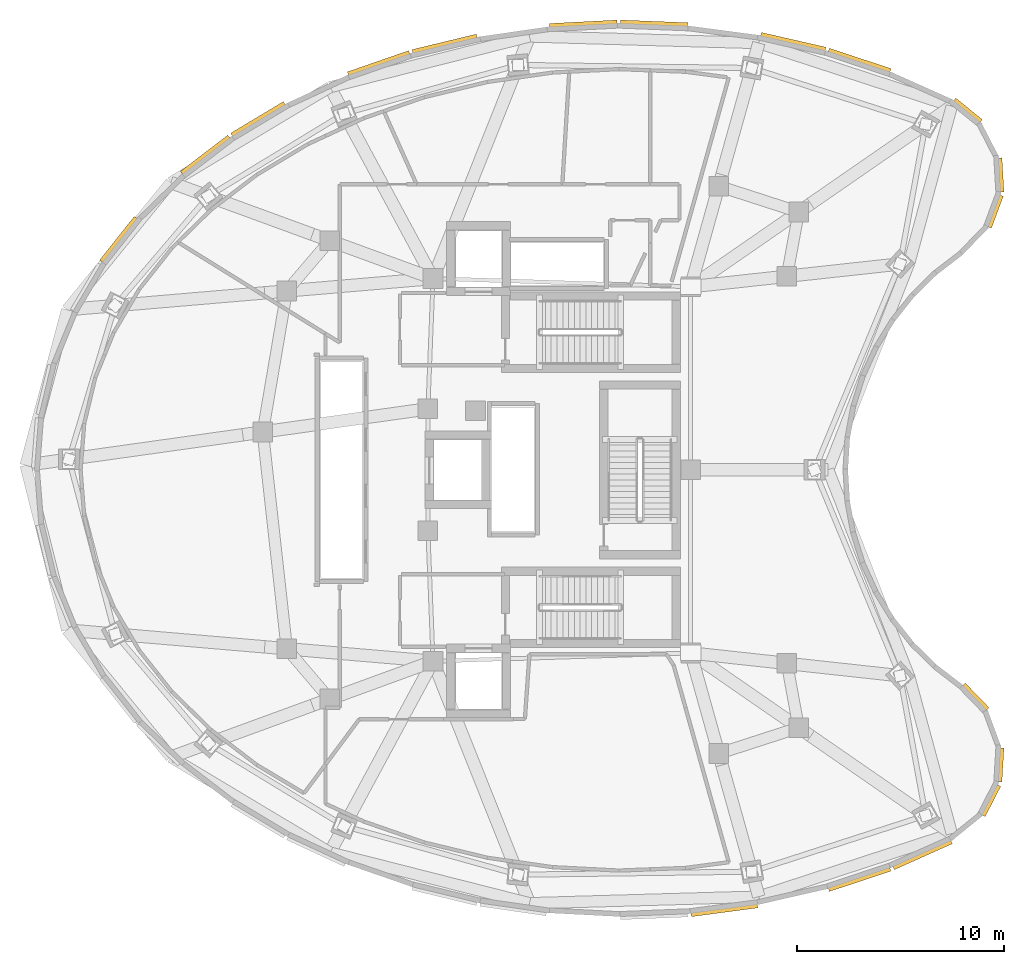
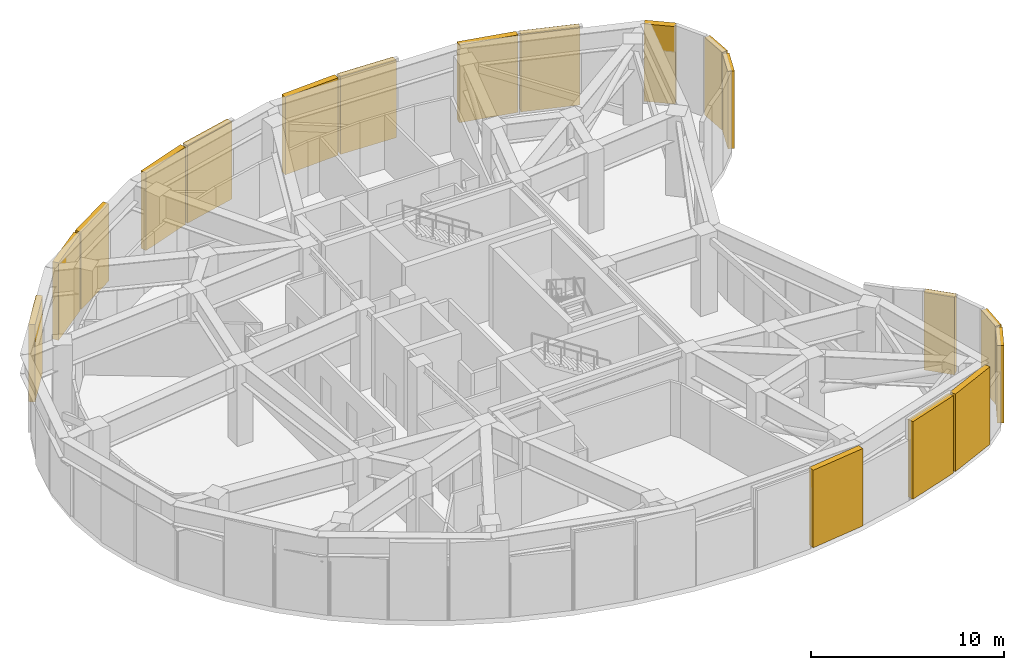
# One storey, part 10 of 10: 18 shading devices.
"""IFC4 building model written with IfcOpenShell, lengths in metres."""

from ifc_helpers import new_model, si_unit, direction, frame, origin, origin_2d, place, context, subcontext, project, spatial, rectangle, extrude, material, layer, layer_set, type_object, element, save


model = new_model("IFC4")

# Units and contexts
model_context = context("Model", 3, precision=1e-05, world=origin(), true_north=direction((0.0, 1.0)))
body_context = subcontext(model_context, "Body", "Model", "MODEL_VIEW")
ifc_project = project(units=[si_unit("LENGTHUNIT", "METRE"), si_unit("AREAUNIT", "SQUARE_METRE"), si_unit("VOLUMEUNIT", "CUBIC_METRE"), si_unit("PLANEANGLEUNIT", "RADIAN"), si_unit("MASSUNIT", "GRAM", prefix="KILO")], contexts=[model_context])

# Site, building, storey
site_placement = place(None, origin())
site = spatial("IfcSite", under=ifc_project, at=site_placement, CompositionType="ELEMENT")
building_placement = place(site_placement, origin())
building = spatial("IfcBuilding", under=site, at=building_placement, Name="Korentha Bioscience Tower", CompositionType="ELEMENT")
storey_placement = place(building_placement, frame((0.0, 0.0, 213.0)))
storey = spatial("IfcBuildingStorey", under=building, at=storey_placement, Name="L49", CompositionType="ELEMENT", Elevation=213.0)

# Shading devices
ifc_material = material(Name="Powder-Coated Aluminium Louvre", Category="aluminium")
ifc_layer = layer(ifc_material, 0.1201171875, Name="Powder-Coated Aluminium Louvre")
ifc_layer_set = layer_set([ifc_layer], Name="Powder-Coated Aluminium Louvre (LV-350)")
shading_device_type = type_object("IfcShadingDeviceType", Name="Acoustic Weatherproof Aluminium Plant Louvre 350", PredefinedType="USERDEFINED", material=ifc_layer_set)
shading_device_1_placement = place(storey_placement, frame((45.691650390625, 46.72314453125, 0.10009765625), z_axis=(0.0, 0.0, 1.0), x_axis=(-0.948910260885, 0.315546061275, 0.0)))
element("IfcShadingDevice", 1, at=shading_device_1_placement, inside=storey, type_object=shading_device_type, Name="L49 Acoustic Plant Louvre 02", ObjectType="LOUVRE", PredefinedType="USERDEFINED", context=body_context, shape_type="SweptSolid", body=[
    extrude(rectangle(XDim=3.140869140625, YDim=0.35009765625, at=origin_2d()), origin(), (0.0, 0.0, 1.0), 4.89990234375),
])
shading_device_2_placement = place(storey_placement, frame((42.490234375, 47.617919921875, 0.10009765625), z_axis=(0.0, 0.0, 1.0), x_axis=(-0.974820428699, 0.222991326717, 0.0)))
element("IfcShadingDevice", 2, at=shading_device_2_placement, inside=storey, type_object=shading_device_type, Name="L49 Acoustic Plant Louvre 03", ObjectType="LOUVRE", PredefinedType="USERDEFINED", context=body_context, shape_type="SweptSolid", body=[
    extrude(rectangle(XDim=3.198974609375, YDim=0.35009765625, at=origin_2d()), origin(), (0.0, 0.0, 1.0), 4.89990234375),
])
shading_device_3_placement = place(storey_placement, frame((35.780029296875, 48.505615234375, 0.10009765625), z_axis=(0.0, 0.0, 1.0), x_axis=(-0.999210418027, 0.039730850817, 0.0)))
element("IfcShadingDevice", 3, at=shading_device_3_placement, inside=storey, type_object=shading_device_type, Name="L49 Acoustic Plant Louvre 05", ObjectType="LOUVRE", PredefinedType="USERDEFINED", context=body_context, shape_type="SweptSolid", body=[
    extrude(rectangle(XDim=3.258056640625, YDim=0.35009765625, at=origin_2d()), origin(), (0.0, 0.0, 1.0), 4.89990234375),
])
shading_device_4_placement = place(storey_placement, frame((32.3681640625, 48.4853515625, 0.10009765625), z_axis=(0.0, 0.0, 1.0), x_axis=(-0.99867226415, -0.051514161334, 0.0)))
element("IfcShadingDevice", 4, at=shading_device_4_placement, inside=storey, type_object=shading_device_type, Name="L49 Acoustic Plant Louvre 06", ObjectType="LOUVRE", PredefinedType="USERDEFINED", context=body_context, shape_type="SweptSolid", body=[
    extrude(rectangle(XDim=3.256591796875, YDim=0.35009765625, at=origin_2d()), origin(), (0.0, 0.0, 1.0), 4.89990234375),
])
shading_device_5_placement = place(storey_placement, frame((25.677001953125, 47.51904296875, 0.10009765625), z_axis=(0.0, 0.0, 1.0), x_axis=(-0.972024933768, -0.234877687602, 0.0)))
element("IfcShadingDevice", 5, at=shading_device_5_placement, inside=storey, type_object=shading_device_type, Name="L49 Acoustic Plant Louvre 08", ObjectType="LOUVRE", PredefinedType="USERDEFINED", context=body_context, shape_type="SweptSolid", body=[
    extrude(rectangle(XDim=3.1923828125, YDim=0.35009765625, at=origin_2d()), origin(), (0.0, 0.0, 1.0), 4.89990234375),
])
shading_device_6_placement = place(storey_placement, frame((22.494384765625, 46.586669921875, 0.10009765625), z_axis=(0.0, 0.0, 1.0), x_axis=(-0.944840083866, -0.327532007473, 0.0)))
element("IfcShadingDevice", 6, at=shading_device_6_placement, inside=storey, type_object=shading_device_type, Name="L49 Acoustic Plant Louvre 09", ObjectType="LOUVRE", PredefinedType="USERDEFINED", context=body_context, shape_type="SweptSolid", body=[
    extrude(rectangle(XDim=3.132080078125, YDim=0.35009765625, at=origin_2d()), origin(), (0.0, 0.0, 1.0), 4.89990234375),
])
shading_device_7_placement = place(storey_placement, frame((16.68359375, 43.890869140625, 0.10009765625), z_axis=(0.0, 0.0, 1.0), x_axis=(-0.857523948962, -0.514444046478, 0.0)))
element("IfcShadingDevice", 7, at=shading_device_7_placement, inside=storey, type_object=shading_device_type, Name="L49 Acoustic Plant Louvre 11", ObjectType="LOUVRE", PredefinedType="USERDEFINED", context=body_context, shape_type="SweptSolid", body=[
    extrude(rectangle(XDim=2.968505859375, YDim=0.35009765625, at=origin_2d()), origin(), (0.0, 0.0, 1.0), 4.89990234375),
])
shading_device_8_placement = place(storey_placement, frame((14.1396484375, 42.16650390625, 0.10009765625), z_axis=(0.0, 0.0, 1.0), x_axis=(-0.794377489837, -0.607424401584, 0.0)))
element("IfcShadingDevice", 8, at=shading_device_8_placement, inside=storey, type_object=shading_device_type, Name="L49 Acoustic Plant Louvre 12", ObjectType="LOUVRE", PredefinedType="USERDEFINED", context=body_context, shape_type="SweptSolid", body=[
    extrude(rectangle(XDim=2.872314453125, YDim=0.35009765625, at=origin_2d()), origin(), (0.0, 0.0, 1.0), 4.89990234375),
])
shading_device_9_placement = place(storey_placement, frame((9.9580078125, 38.089111328125, 0.10009765625), z_axis=(0.0, 0.0, 1.0), x_axis=(-0.620844675478, -0.783933599822, 0.0)))
element("IfcShadingDevice", 9, at=shading_device_9_placement, inside=storey, type_object=shading_device_type, Name="L49 Acoustic Plant Louvre 14", ObjectType="LOUVRE", PredefinedType="USERDEFINED", context=body_context, shape_type="SweptSolid", body=[
    extrude(rectangle(XDim=2.677001953125, YDim=0.35009765625, at=origin_2d()), origin(), (0.0, 0.0, 1.0), 4.89990234375),
])
shading_device_10_placement = place(storey_placement, frame((39.17041015625, 5.78515625, 0.10009765625), z_axis=(0.0, 0.0, 1.0), x_axis=(0.991362813045, 0.131147904713, 0.0)))
element("IfcShadingDevice", 10, at=shading_device_10_placement, inside=storey, type_object=shading_device_type, Name="L49 Acoustic Plant Louvre 33", ObjectType="LOUVRE", PredefinedType="USERDEFINED", context=body_context, shape_type="SweptSolid", body=[
    extrude(rectangle(XDim=3.238525390625, YDim=0.35009765625, at=origin_2d()), origin(), (0.0, 0.0, 1.0), 4.89990234375),
])
shading_device_11_placement = place(storey_placement, frame((45.691650390625, 7.27685546875, 0.10009765625), z_axis=(0.0, 0.0, 1.0), x_axis=(0.948910260885, 0.315546061275, 0.0)))
element("IfcShadingDevice", 11, at=shading_device_11_placement, inside=storey, type_object=shading_device_type, Name="L49 Acoustic Plant Louvre 35", ObjectType="LOUVRE", PredefinedType="USERDEFINED", context=body_context, shape_type="SweptSolid", body=[
    extrude(rectangle(XDim=3.140869140625, YDim=0.35009765625, at=origin_2d()), origin(), (0.0, 0.0, 1.0), 4.89990234375),
])
shading_device_12_placement = place(storey_placement, frame((48.728515625, 8.45654296875, 0.10009765625), z_axis=(0.0, 0.0, 1.0), x_axis=(0.912633331593, 0.408779160508, 0.0)))
element("IfcShadingDevice", 12, at=shading_device_12_placement, inside=storey, type_object=shading_device_type, Name="L49 Acoustic Plant Louvre 36", ObjectType="LOUVRE", PredefinedType="USERDEFINED", context=body_context, shape_type="SweptSolid", body=[
    extrude(rectangle(XDim=3.06689453125, YDim=0.35009765625, at=origin_2d()), origin(), (0.0, 0.0, 1.0), 4.89990234375),
])
for number, where, z_axis, x_axis, name in (
    (13, (52.009521484375, 11.04736328125, 0.10009765625), (0.0, 0.0, 1.0), (0.457586816028, 0.889164948588, 0.0), "L49 Acoustic Plant Louvre 38"),
    (14, (52.47509765625, 12.744873046875, 0.10009765625), (0.0, 0.0, 1.0), (0.060149225221, 0.99818939621, 0.0), "L49 Acoustic Plant Louvre 39"),
    (15, (51.278076171875, 15.974853515625, 0.10009765625), (0.0, 0.0, 1.0), (-0.696036933631, 0.718005979795, 0.0), "L49 Acoustic Plant Louvre 41"),
    (16, (52.216552734375, 39.51416015625, 0.10009765625), (0.0, 0.0, 1.0), (0.347463942798, 0.937693344572, 0.0), "L49 Acoustic Plant Louvre 59"),
    (17, (52.47509765625, 41.255126953125, 0.10009765625), (0.0, 0.0, 1.0), (-0.060149225221, 0.99818939621, 0.0), "L49 Acoustic Plant Louvre 60"),
):
    element("IfcShadingDevice", number, at=place(storey_placement, frame(where, z_axis=z_axis, x_axis=x_axis)), inside=storey, type_object=shading_device_type, Name=name, ObjectType="LOUVRE", PredefinedType="USERDEFINED", context=body_context, shape_type="SweptSolid", body=[
        extrude(rectangle(XDim=1.647216796875, YDim=0.35009765625, at=origin_2d()), origin(), (0.0, 0.0, 1.0), 4.89990234375),
    ])
shading_device_13_placement = place(storey_placement, frame((50.89892578125, 44.318115234375, 0.10009765625), z_axis=(0.0, 0.0, 1.0), x_axis=(-0.777238427065, 0.629206188378, 0.0)))
element("IfcShadingDevice", 18, at=shading_device_13_placement, inside=storey, type_object=shading_device_type, Name="L49 Acoustic Plant Louvre 62", ObjectType="LOUVRE", PredefinedType="USERDEFINED", context=body_context, shape_type="SweptSolid", body=[
    extrude(rectangle(XDim=1.64697265625, YDim=0.35009765625, at=origin_2d()), origin(), (0.0, 0.0, 1.0), 4.89990234375),
])

save(model, "model.ifc")
